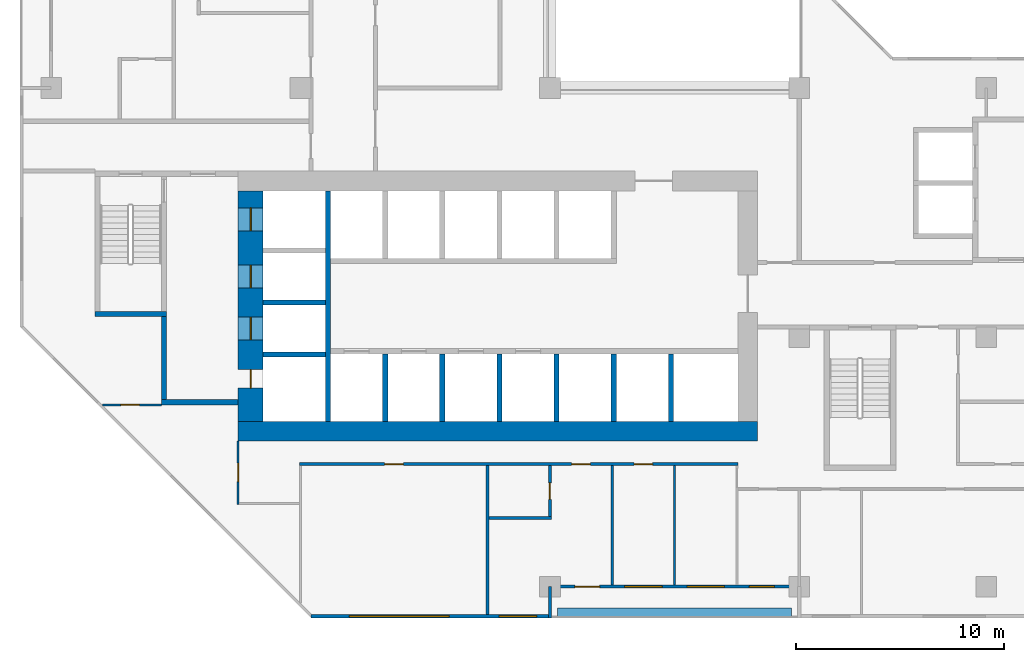
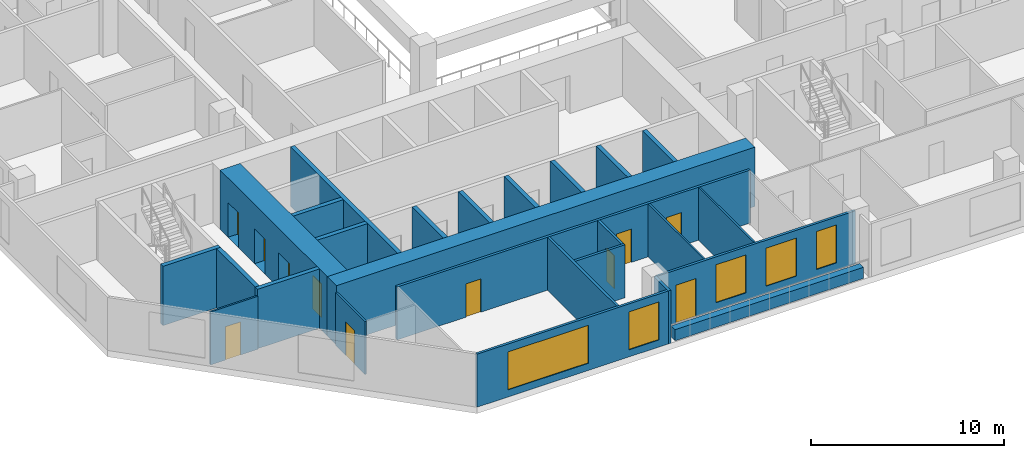
# One storey, part 4 of 15: 26 walls, 11 doors, 5 windows, 16 openings.
"""IFC4 building model written with IfcOpenShell, lengths in metres."""

from ifc_helpers import new_model, si_unit, direction, frame, frame_2d, origin, place, context, subcontext, project, spatial, rectangle, extrude, material, layer, layer_set, type_object, element, fill, save


model = new_model("IFC4")

# Units and contexts
model_context = context("Model", 3, precision=1e-05, world=origin(), true_north=direction((0.0, 1.0)))
body_context = subcontext(model_context, "Body", "Model", "MODEL_VIEW")
ifc_project = project(units=[si_unit("LENGTHUNIT", "METRE"), si_unit("AREAUNIT", "SQUARE_METRE"), si_unit("VOLUMEUNIT", "CUBIC_METRE"), si_unit("PLANEANGLEUNIT", "RADIAN"), si_unit("MASSUNIT", "GRAM", prefix="KILO")], contexts=[model_context])

# Site, building, storey
site_placement = place(None, origin())
site = spatial("IfcSite", under=ifc_project, at=site_placement, CompositionType="ELEMENT")
building_placement = place(site_placement, origin())
building = spatial("IfcBuilding", under=site, at=building_placement, Name="Chenar Terraces", CompositionType="ELEMENT")
storey_placement = place(building_placement, frame((0.0, 0.0, 125.64990234375)))
storey = spatial("IfcBuildingStorey", under=building, at=storey_placement, Name="L29", CompositionType="ELEMENT", Elevation=125.64990234375)

# Wall, openings, doors
ifc_material_1 = material(Name="Concrete C70/85", Category="concrete")
ifc_layer_1 = layer(ifc_material_1, 1.199951171875)
ifc_layer_set_1 = layer_set([ifc_layer_1], Name="Concrete C70/85")
wall_type_1 = type_object("IfcWallType", Name="Core wall 1200 Concrete C70/85", PredefinedType="SHEAR", material=ifc_layer_set_1)
wall_1_placement = place(storey_placement, frame((9.60009765625, 7.949951171875, 0.0), z_axis=(0.0, 0.0, 1.0), x_axis=(0.0, 1.0, 0.0)))
wall_1 = element("IfcWall", 1, at=wall_1_placement, inside=storey, type_object=wall_type_1, Name="Core wall W L29", PredefinedType="SHEAR", context=body_context, shape_type="SweptSolid", body=[
    extrude(rectangle(XDim=11.10009765625, YDim=1.199951171875, at=frame_2d((5.550048828125, 0.0))), origin(), (0.0, 0.0, 1.0), 3.75),
])
opening_1_placement = place(wall_1_placement, frame((3.925048828125, 0.0, 0.0)))
opening_1 = element("IfcOpeningElement", 2, at=opening_1_placement, cuts=wall_1, Name="Opening DL29-LD5", PredefinedType="OPENING", context=body_context, shape_type="SweptSolid", body=[
    extrude(rectangle(XDim=1.10009765625, YDim=2.199951171875, at=frame_2d((0.550048828125, 1.10009765625))), frame((0.0, 0.60986328125, 0.0), z_axis=(0.0, -1.0, 0.0), x_axis=(1.0, 0.0, 0.0)), (0.0, 0.0, 1.0), 1.219970703125),
])
opening_2_placement = place(wall_1_placement, frame((6.425048828125, 0.0, 0.0)))
opening_2 = element("IfcOpeningElement", 3, at=opening_2_placement, cuts=wall_1, Name="Opening DL29-LD6", PredefinedType="OPENING", context=body_context, shape_type="SweptSolid", body=[
    extrude(rectangle(XDim=1.10009765625, YDim=2.199951171875, at=frame_2d((0.550048828125, 1.10009765625))), frame((0.0, 0.60986328125, 0.0), z_axis=(0.0, -1.0, 0.0), x_axis=(1.0, 0.0, 0.0)), (0.0, 0.0, 1.0), 1.219970703125),
])
opening_3_placement = place(wall_1_placement, frame((9.175048828125, 0.0, 0.0)))
opening_3 = element("IfcOpeningElement", 4, at=opening_3_placement, cuts=wall_1, Name="Opening DL29-LD7", PredefinedType="OPENING", context=body_context, shape_type="SweptSolid", body=[
    extrude(rectangle(XDim=1.10009765625, YDim=2.199951171875, at=frame_2d((0.550048828125, 1.10009765625))), frame((0.0, 0.60986328125, 0.0), z_axis=(0.0, -1.0, 0.0), x_axis=(1.0, 0.0, 0.0)), (0.0, 0.0, 1.0), 1.219970703125),
])
opening_4_placement = place(wall_1_placement, frame((1.60009765625, 0.0, 0.0)))
opening_4 = element("IfcOpeningElement", 5, at=opening_4_placement, cuts=wall_1, Name="Opening DL29-C4", PredefinedType="OPENING", context=body_context, shape_type="SweptSolid", body=[
    extrude(rectangle(XDim=0.89990234375, YDim=2.10009765625, at=frame_2d((0.449951171875, 1.050048828125))), frame((0.0, 0.60986328125, 0.0), z_axis=(0.0, -1.0, 0.0), x_axis=(1.0, 0.0, 0.0)), (0.0, 0.0, 1.0), 1.219970703125),
])
ifc_material_2 = material(Name="Stainless steel", Category="steel")
door_type_1 = type_object("IfcDoorType", Name="Lift landing door 1100 x 2200 sliding", OperationType="DOUBLE_DOOR_SLIDING", PredefinedType="DOOR", material=ifc_material_2)
door_1_placement = place(opening_1_placement, origin())
door_1 = element("IfcDoor", 6, at=door_1_placement, inside=storey, type_object=door_type_1, Name="Landing door S1", OperationType="DOUBLE_DOOR_SLIDING", OverallHeight=2.199951171875, OverallWidth=1.10009765625, PredefinedType="DOOR", context=body_context, shape_type="SweptSolid", body=[
    extrude(rectangle(XDim=1.10009765625, YDim=2.199951171875, at=frame_2d((0.550048828125, 1.10009765625))), frame((0.0, 0.02490234375, 0.0), z_axis=(0.0, -1.0, 0.0), x_axis=(1.0, 0.0, 0.0)), (0.0, 0.0, 1.0), 0.050048828125),
])
fill(opening_1, door_1)
door_2_placement = place(opening_2_placement, origin())
door_2 = element("IfcDoor", 7, at=door_2_placement, inside=storey, type_object=door_type_1, Name="Landing door F1", OperationType="DOUBLE_DOOR_SLIDING", OverallHeight=2.199951171875, OverallWidth=1.10009765625, PredefinedType="DOOR", context=body_context, shape_type="SweptSolid", body=[
    extrude(rectangle(XDim=1.10009765625, YDim=2.199951171875, at=frame_2d((0.550048828125, 1.10009765625))), frame((0.0, 0.02490234375, 0.0), z_axis=(0.0, -1.0, 0.0), x_axis=(1.0, 0.0, 0.0)), (0.0, 0.0, 1.0), 0.050048828125),
])
fill(opening_2, door_2)
door_3_placement = place(opening_3_placement, origin())
door_3 = element("IfcDoor", 8, at=door_3_placement, inside=storey, type_object=door_type_1, Name="Landing door F2", OperationType="DOUBLE_DOOR_SLIDING", OverallHeight=2.199951171875, OverallWidth=1.10009765625, PredefinedType="DOOR", context=body_context, shape_type="SweptSolid", body=[
    extrude(rectangle(XDim=1.10009765625, YDim=2.199951171875, at=frame_2d((0.550048828125, 1.10009765625))), frame((0.0, 0.02490234375, 0.0), z_axis=(0.0, -1.0, 0.0), x_axis=(1.0, 0.0, 0.0)), (0.0, 0.0, 1.0), 0.050048828125),
])
fill(opening_3, door_3)
ifc_material_3 = material(Name="Steel-framed fire-resisting door leaf", Category="steel")
door_type_2 = type_object("IfcDoorType", Name="Riser fire door FD60 900 x 2100", OperationType="SINGLE_SWING_LEFT", PredefinedType="DOOR", material=ifc_material_3)
door_4_placement = place(opening_4_placement, frame((0.89990234375, 0.0, 0.0), z_axis=(0.0, 0.0, 1.0), x_axis=(-1.0, 0.0, 0.0)))
door_4 = element("IfcDoor", 9, at=door_4_placement, inside=storey, type_object=door_type_2, Name="Riser door DL29-C4", OperationType="SINGLE_SWING_LEFT", OverallHeight=2.10009765625, OverallWidth=0.89990234375, PredefinedType="DOOR", context=body_context, shape_type="SweptSolid", body=[
    extrude(rectangle(XDim=0.89990234375, YDim=2.10009765625, at=frame_2d((0.449951171875, 1.050048828125))), frame((0.0, 0.02490234375, 0.0), z_axis=(0.0, -1.0, 0.0), x_axis=(1.0, 0.0, 0.0)), (0.0, 0.0, 1.0), 0.050048828125),
])
fill(opening_4, door_4)

# Walls
ifc_material_4 = material(Name="Concrete C70/85", Category="concrete")
ifc_layer_2 = layer(ifc_material_4, 0.25)
ifc_layer_set_2 = layer_set([ifc_layer_2], Name="Concrete C70/85")
wall_type_2 = type_object("IfcWallType", Name="Core wall 250 Concrete C70/85", PredefinedType="SHEAR", material=ifc_layer_set_2)
wall_2_placement = place(storey_placement, frame((13.324951171875, 7.949951171875, 0.0), z_axis=(0.0, 0.0, 1.0), x_axis=(0.0, 1.0, 0.0)))
element("IfcWall", 10, at=wall_2_placement, inside=storey, type_object=wall_type_2, Name="Core wall WI L29", PredefinedType="SHEAR", context=body_context, shape_type="SweptSolid", body=[
    extrude(rectangle(XDim=11.10009765625, YDim=0.25, at=frame_2d((5.550048828125, 0.0))), origin(), (0.0, 0.0, 1.0), 3.75),
])
for number, where, z_axis, x_axis, name in (
    (11, (10.199951171875, 11.175048828125, 0.0), (0.0, 0.0, 1.0), (1.0, 0.0, 0.0), "Core wall HW0 L29"),
    (12, (10.199951171875, 13.675048828125, 0.0), (0.0, 0.0, 1.0), (1.0, 0.0, 0.0), "Core wall HW1 L29"),
):
    element("IfcWall", number, at=place(storey_placement, frame(where, z_axis=z_axis, x_axis=x_axis)), inside=storey, type_object=wall_type_2, Name=name, PredefinedType="SHEAR", context=body_context, shape_type="SweptSolid", body=[
        extrude(rectangle(XDim=3.0, YDim=0.25, at=frame_2d((1.5, 0.0))), origin(), (0.0, 0.0, 1.0), 3.75),
    ])
for number, where, z_axis, x_axis, name in (
    (13, (16.074951171875, 7.949951171875, 0.0), (0.0, 0.0, 1.0), (0.0, 1.0, 0.0), "Core wall SS0 L29"),
    (14, (18.824951171875, 7.949951171875, 0.0), (0.0, 0.0, 1.0), (0.0, 1.0, 0.0), "Core wall SS1 L29"),
    (15, (21.574951171875, 7.949951171875, 0.0), (0.0, 0.0, 1.0), (0.0, 1.0, 0.0), "Core wall SS2 L29"),
    (16, (24.324951171875, 7.949951171875, 0.0), (0.0, 0.0, 1.0), (0.0, 1.0, 0.0), "Core wall SS3 L29"),
    (17, (27.074951171875, 7.949951171875, 0.0), (0.0, 0.0, 1.0), (0.0, 1.0, 0.0), "Core wall SS4 L29"),
    (18, (29.824951171875, 7.949951171875, 0.0), (0.0, 0.0, 1.0), (0.0, 1.0, 0.0), "Core wall SS5 L29"),
):
    element("IfcWall", number, at=place(storey_placement, frame(where, z_axis=z_axis, x_axis=x_axis)), inside=storey, type_object=wall_type_2, Name=name, PredefinedType="SHEAR", context=body_context, shape_type="SweptSolid", body=[
        extrude(rectangle(XDim=3.25, YDim=0.25, at=frame_2d((1.625, 0.0))), origin(), (0.0, 0.0, 1.0), 3.75),
    ])
wall_3_placement = place(storey_placement, frame((2.10009765625, 13.125, 0.0), z_axis=(0.0, 0.0, 1.0), x_axis=(1.0, 0.0, 0.0)))
element("IfcWall", 19, at=wall_3_placement, inside=storey, type_object=wall_type_2, Name="Core wall ST1_S L29", PredefinedType="SHEAR", context=body_context, shape_type="SweptSolid", body=[
    extrude(rectangle(XDim=3.449951171875, YDim=0.25, at=frame_2d((1.72509765625, 0.0))), origin(), (0.0, 0.0, 1.0), 3.75),
])
wall_4_placement = place(storey_placement, frame((5.300048828125, 8.875, 0.0), z_axis=(0.0, 0.0, 1.0), x_axis=(1.0, 0.0, 0.0)))
element("IfcWall", 20, at=wall_4_placement, inside=storey, type_object=wall_type_2, Name="Core wall FFL_S L29", PredefinedType="SHEAR", context=body_context, shape_type="SweptSolid", body=[
    extrude(rectangle(XDim=3.699951171875, YDim=0.25, at=frame_2d((1.85009765625, 0.0))), origin(), (0.0, 0.0, 1.0), 3.75),
])
wall_5_placement = place(storey_placement, frame((5.425048828125, 9.0, 0.0), z_axis=(0.0, 0.0, 1.0), x_axis=(0.0, 1.0, 0.0)))
element("IfcWall", 21, at=wall_5_placement, inside=storey, type_object=wall_type_2, Name="Core wall FFL_W L29", PredefinedType="SHEAR", context=body_context, shape_type="SweptSolid", body=[
    extrude(rectangle(XDim=4.0, YDim=0.25, at=frame_2d((2.0, 0.0))), origin(), (0.0, 0.0, 1.0), 3.75),
])
ifc_material_5 = material(Name="Concrete C70/85", Category="concrete")
ifc_layer_3 = layer(ifc_material_5, 0.949951171875)
ifc_layer_set_3 = layer_set([ifc_layer_3], Name="Concrete C70/85")
wall_type_3 = type_object("IfcWallType", Name="Core wall 950 Concrete C70/85", PredefinedType="SHEAR", material=ifc_layer_set_3)
wall_6_placement = place(storey_placement, frame((9.0, 7.47509765625, 0.0), z_axis=(0.0, 0.0, 1.0), x_axis=(1.0, 0.0, 0.0)))
element("IfcWall", 22, at=wall_6_placement, inside=storey, type_object=wall_type_3, Name="Core wall S L29", PredefinedType="SHEAR", context=body_context, shape_type="SweptSolid", body=[
    extrude(rectangle(XDim=25.0, YDim=0.949951171875, at=frame_2d((12.5, 0.0))), origin(), (0.0, 0.0, 1.0), 3.75),
])

# Wall, openings, windows
ifc_material_6 = material(Name="Aluminium framed glazing", Category="aluminium")
ifc_layer_4 = layer(ifc_material_6, 0.14990234375)
ifc_layer_set_4 = layer_set([ifc_layer_4], Name="Aluminium framed glazing")
wall_type_4 = type_object("IfcWallType", Name="Glazed flush facade wall 150", PredefinedType="SOLIDWALL", material=ifc_layer_set_4)
wall_7_placement = place(storey_placement, frame((12.5, -1.425048828125, 0.0), z_axis=(0.0, 0.0, 1.0), x_axis=(1.0, 0.0, 0.0)))
wall_7 = element("IfcWall", 23, at=wall_7_placement, inside=storey, type_object=wall_type_4, Name="Glazed flush facade wall", PredefinedType="SOLIDWALL", context=body_context, shape_type="SweptSolid", body=[
    extrude(rectangle(XDim=11.425048828125, YDim=0.14990234375, at=frame_2d((5.71240234375, 0.0))), origin(), (0.0, 0.0, 1.0), 3.35009765625),
])
opening_5_placement = place(wall_7_placement, frame((1.85009765625, 0.0, 0.449951171875)))
opening_5 = element("IfcOpeningElement", 24, at=opening_5_placement, cuts=wall_7, Name="Opening W480x240", PredefinedType="OPENING", context=body_context, shape_type="SweptSolid", body=[
    extrude(rectangle(XDim=4.800048828125, YDim=2.39990234375, at=frame_2d((2.39990234375, 1.199951171875))), frame((0.0, 0.0849609375, 0.0), z_axis=(0.0, -1.0, 0.0), x_axis=(1.0, 0.0, 0.0)), (0.0, 0.0, 1.0), 0.169921875),
])
opening_6_placement = place(wall_7_placement, frame((9.0625, 0.0, 0.449951171875)))
opening_6 = element("IfcOpeningElement", 25, at=opening_6_placement, cuts=wall_7, Name="Opening W180x240", PredefinedType="OPENING", context=body_context, shape_type="SweptSolid", body=[
    extrude(rectangle(XDim=1.800048828125, YDim=2.39990234375, at=frame_2d((0.89990234375, 1.199951171875))), frame((0.0, 0.0849609375, 0.0), z_axis=(0.0, -1.0, 0.0), x_axis=(1.0, 0.0, 0.0)), (0.0, 0.0, 1.0), 0.169921875),
])
ifc_material_7 = material(Name="Low emissivity double glazing, aluminium frame", Category="aluminium")
window_type_1 = type_object("IfcWindowType", Name="Fixed light 1800 x 2400", PartitioningType="SINGLE_PANEL", PredefinedType="WINDOW", material=ifc_material_7)
window_1_placement = place(opening_6_placement, origin())
window_1 = element("IfcWindow", 26, at=window_1_placement, inside=storey, type_object=window_type_1, Name="Window", OverallHeight=2.39990234375, OverallWidth=1.800048828125, PartitioningType="SINGLE_PANEL", PredefinedType="WINDOW", context=body_context, shape_type="SweptSolid", body=[
    extrude(rectangle(XDim=1.800048828125, YDim=2.39990234375, at=frame_2d((0.89990234375, 1.199951171875))), frame((0.0, 0.030029296875, 0.0), z_axis=(0.0, -1.0, 0.0), x_axis=(1.0, 0.0, 0.0)), (0.0, 0.0, 1.0), 0.06005859375),
])
fill(opening_6, window_1)
ifc_material_8 = material(Name="Low emissivity double glazing, aluminium frame", Category="aluminium")
window_type_2 = type_object("IfcWindowType", Name="Fixed light 4800 x 2400", PartitioningType="SINGLE_PANEL", PredefinedType="WINDOW", material=ifc_material_8)
window_2_placement = place(opening_5_placement, origin())
window_2 = element("IfcWindow", 27, at=window_2_placement, inside=storey, type_object=window_type_2, Name="Window", OverallHeight=2.39990234375, OverallWidth=4.800048828125, PartitioningType="SINGLE_PANEL", PredefinedType="WINDOW", context=body_context, shape_type="SweptSolid", body=[
    extrude(rectangle(XDim=4.800048828125, YDim=2.39990234375, at=frame_2d((2.39990234375, 1.199951171875))), frame((0.0, 0.030029296875, 0.0), z_axis=(0.0, -1.0, 0.0), x_axis=(1.0, 0.0, 0.0)), (0.0, 0.0, 1.0), 0.06005859375),
])
fill(opening_5, window_2)

# Wall, openings, windows, door
ifc_material_9 = material(Name="Aluminium framed glazing", Category="aluminium")
ifc_layer_5 = layer(ifc_material_9, 0.14990234375)
ifc_layer_set_5 = layer_set([ifc_layer_5], Name="Aluminium framed glazing")
wall_type_5 = type_object("IfcWallType", Name="Glazed loggia back wall 150", PredefinedType="SOLIDWALL", material=ifc_layer_set_5)
wall_8_placement = place(storey_placement, frame((24.074951171875, 0.0, 0.0), z_axis=(0.0, 0.0, 1.0), x_axis=(1.0, 0.0, 0.0)))
wall_8 = element("IfcWall", 28, at=wall_8_placement, inside=storey, type_object=wall_type_5, Name="Glazed loggia back wall", PredefinedType="SOLIDWALL", context=body_context, shape_type="SweptSolid", body=[
    extrude(rectangle(XDim=11.85009765625, YDim=0.14990234375, at=frame_2d((5.925048828125, 0.0))), origin(), (0.0, 0.0, 1.0), 3.35009765625),
])
opening_7_placement = place(wall_8_placement, frame((1.125, 0.0, 0.0)))
opening_7 = element("IfcOpeningElement", 29, at=opening_7_placement, cuts=wall_8, Name="Opening DL29-G6", PredefinedType="OPENING", context=body_context, shape_type="SweptSolid", body=[
    extrude(rectangle(XDim=1.199951171875, YDim=2.39990234375, at=frame_2d((0.60009765625, 1.199951171875))), frame((0.0, 0.0849609375, 0.0), z_axis=(0.0, -1.0, 0.0), x_axis=(1.0, 0.0, 0.0)), (0.0, 0.0, 1.0), 0.169921875),
])
opening_8_placement = place(wall_8_placement, frame((3.52490234375, 0.0, 0.449951171875)))
opening_8 = element("IfcOpeningElement", 30, at=opening_8_placement, cuts=wall_8, Name="Opening W180x240", PredefinedType="OPENING", context=body_context, shape_type="SweptSolid", body=[
    extrude(rectangle(XDim=1.800048828125, YDim=2.39990234375, at=frame_2d((0.89990234375, 1.199951171875))), frame((0.0, 0.0849609375, 0.0), z_axis=(0.0, -1.0, 0.0), x_axis=(1.0, 0.0, 0.0)), (0.0, 0.0, 1.0), 0.169921875),
])
opening_9_placement = place(wall_8_placement, frame((6.52490234375, 0.0, 0.449951171875)))
opening_9 = element("IfcOpeningElement", 31, at=opening_9_placement, cuts=wall_8, Name="Opening W180x240", PredefinedType="OPENING", context=body_context, shape_type="SweptSolid", body=[
    extrude(rectangle(XDim=1.800048828125, YDim=2.39990234375, at=frame_2d((0.89990234375, 1.199951171875))), frame((0.0, 0.0849609375, 0.0), z_axis=(0.0, -1.0, 0.0), x_axis=(1.0, 0.0, 0.0)), (0.0, 0.0, 1.0), 0.169921875),
])
opening_10_placement = place(wall_8_placement, frame((9.52490234375, 0.0, 0.449951171875)))
opening_10 = element("IfcOpeningElement", 32, at=opening_10_placement, cuts=wall_8, Name="Opening W120x240", PredefinedType="OPENING", context=body_context, shape_type="SweptSolid", body=[
    extrude(rectangle(XDim=1.199951171875, YDim=2.39990234375, at=frame_2d((0.60009765625, 1.199951171875))), frame((0.0, 0.0849609375, 0.0), z_axis=(0.0, -1.0, 0.0), x_axis=(1.0, 0.0, 0.0)), (0.0, 0.0, 1.0), 0.169921875),
])
ifc_material_10 = material(Name="Low emissivity double glazing, aluminium frame", Category="aluminium")
window_type_3 = type_object("IfcWindowType", Name="Fixed light 1200 x 2400", PartitioningType="SINGLE_PANEL", PredefinedType="WINDOW", material=ifc_material_10)
window_3_placement = place(opening_10_placement, origin())
window_3 = element("IfcWindow", 33, at=window_3_placement, inside=storey, type_object=window_type_3, Name="Window", OverallHeight=2.39990234375, OverallWidth=1.199951171875, PartitioningType="SINGLE_PANEL", PredefinedType="WINDOW", context=body_context, shape_type="SweptSolid", body=[
    extrude(rectangle(XDim=1.199951171875, YDim=2.39990234375, at=frame_2d((0.60009765625, 1.199951171875))), frame((0.0, 0.030029296875, 0.0), z_axis=(0.0, -1.0, 0.0), x_axis=(1.0, 0.0, 0.0)), (0.0, 0.0, 1.0), 0.06005859375),
])
fill(opening_10, window_3)
window_4_placement = place(opening_8_placement, origin())
window_4 = element("IfcWindow", 34, at=window_4_placement, inside=storey, type_object=window_type_1, Name="Window", OverallHeight=2.39990234375, OverallWidth=1.800048828125, PartitioningType="SINGLE_PANEL", PredefinedType="WINDOW", context=body_context, shape_type="SweptSolid", body=[
    extrude(rectangle(XDim=1.800048828125, YDim=2.39990234375, at=frame_2d((0.89990234375, 1.199951171875))), frame((0.0, 0.030029296875, 0.0), z_axis=(0.0, -1.0, 0.0), x_axis=(1.0, 0.0, 0.0)), (0.0, 0.0, 1.0), 0.06005859375),
])
fill(opening_8, window_4)
window_5_placement = place(opening_9_placement, origin())
window_5 = element("IfcWindow", 35, at=window_5_placement, inside=storey, type_object=window_type_1, Name="Window", OverallHeight=2.39990234375, OverallWidth=1.800048828125, PartitioningType="SINGLE_PANEL", PredefinedType="WINDOW", context=body_context, shape_type="SweptSolid", body=[
    extrude(rectangle(XDim=1.800048828125, YDim=2.39990234375, at=frame_2d((0.89990234375, 1.199951171875))), frame((0.0, 0.030029296875, 0.0), z_axis=(0.0, -1.0, 0.0), x_axis=(1.0, 0.0, 0.0)), (0.0, 0.0, 1.0), 0.06005859375),
])
fill(opening_9, window_5)
ifc_material_11 = material(Name="Low emissivity double glazing, aluminium frame", Category="aluminium")
door_type_3 = type_object("IfcDoorType", Name="Loggia glazed double door 1200 x 2400", OperationType="DOUBLE_DOOR_SINGLE_SWING", PredefinedType="DOOR", material=ifc_material_11)
door_5_placement = place(opening_7_placement, frame((1.199951171875, 0.0, 0.0), z_axis=(0.0, 0.0, 1.0), x_axis=(-1.0, 0.0, 0.0)))
door_5 = element("IfcDoor", 36, at=door_5_placement, inside=storey, type_object=door_type_3, Name="Loggia glazed door", OperationType="DOUBLE_DOOR_SINGLE_SWING", OverallHeight=2.39990234375, OverallWidth=1.199951171875, PredefinedType="DOOR", context=body_context, shape_type="SweptSolid", body=[
    extrude(rectangle(XDim=1.199951171875, YDim=2.39990234375, at=frame_2d((0.60009765625, 1.199951171875))), frame((0.0, 0.02490234375, 0.0), z_axis=(0.0, -1.0, 0.0), x_axis=(1.0, 0.0, 0.0)), (0.0, 0.0, 1.0), 0.050048828125),
])
fill(opening_7, door_5)

# Wall, opening, door
ifc_material_12 = material(Name="Gypsum board on steel studs", Category="steel")
ifc_layer_6 = layer(ifc_material_12, 0.10009765625)
ifc_layer_set_6 = layer_set([ifc_layer_6], Name="Gypsum board on steel studs")
wall_type_6 = type_object("IfcWallType", Name="Gypsum partition 100", PredefinedType="PARTITIONING", material=ifc_layer_set_6)
wall_9_placement = place(storey_placement, frame((2.4609375, 8.75, 0.0), z_axis=(0.0, 0.0, 1.0), x_axis=(1.0, 0.0, 0.0)))
wall_9 = element("IfcWall", 37, at=wall_9_placement, inside=storey, type_object=wall_type_6, Name="Partition L29-011", PredefinedType="PARTITIONING", context=body_context, shape_type="SweptSolid", body=[
    extrude(rectangle(XDim=2.839111328125, YDim=0.10009765625, at=frame_2d((1.41943359375, 0.0))), origin(), (0.0, 0.0, 1.0), 3.35009765625),
])
opening_11_placement = place(wall_9_placement, frame((0.888916015625, 0.0, 0.0)))
opening_11 = element("IfcOpeningElement", 38, at=opening_11_placement, cuts=wall_9, Name="Opening DL29-62", PredefinedType="OPENING", context=body_context, shape_type="SweptSolid", body=[
    extrude(rectangle(XDim=0.89990234375, YDim=2.10009765625, at=frame_2d((0.449951171875, 1.050048828125))), frame((0.0, 0.06005859375, 0.0), z_axis=(0.0, -1.0, 0.0), x_axis=(1.0, 0.0, 0.0)), (0.0, 0.0, 1.0), 0.1201171875),
])
ifc_material_13 = material(Name="Veneered timber door leaf", Category="wood")
door_type_4 = type_object("IfcDoorType", Name="Door 900 x 2100", OperationType="SINGLE_SWING_LEFT", PredefinedType="DOOR", material=ifc_material_13)
door_6_placement = place(opening_11_placement, frame((0.89990234375, 0.0, 0.0), z_axis=(0.0, 0.0, 1.0), x_axis=(-1.0, 0.0, 0.0)))
door_6 = element("IfcDoor", 39, at=door_6_placement, inside=storey, type_object=door_type_4, Name="Door DL29-62", OperationType="SINGLE_SWING_RIGHT", OverallHeight=2.10009765625, OverallWidth=0.89990234375, PredefinedType="DOOR", context=body_context, shape_type="SweptSolid", body=[
    extrude(rectangle(XDim=0.89990234375, YDim=2.10009765625, at=frame_2d((0.449951171875, 1.050048828125))), frame((0.0, 0.02490234375, 0.0), z_axis=(0.0, -1.0, 0.0), x_axis=(1.0, 0.0, 0.0)), (0.0, 0.0, 1.0), 0.050048828125),
])
fill(opening_11, door_6)

wall_10_placement = place(storey_placement, frame((9.0, 3.949951171875, 0.0), z_axis=(0.0, 0.0, 1.0), x_axis=(0.0, 1.0, 0.0)))
wall_10 = element("IfcWall", 40, at=wall_10_placement, inside=storey, type_object=wall_type_6, Name="Partition L29-032", PredefinedType="PARTITIONING", context=body_context, shape_type="SweptSolid", body=[
    extrude(rectangle(XDim=3.050048828125, YDim=0.10009765625, at=frame_2d((1.52490234375, 0.0))), origin(), (0.0, 0.0, 1.0), 3.35009765625),
])
opening_12_placement = place(wall_10_placement, frame((1.10009765625, 0.0, 0.0)))
opening_12 = element("IfcOpeningElement", 41, at=opening_12_placement, cuts=wall_10, Name="Opening DL29-61", PredefinedType="OPENING", context=body_context, shape_type="SweptSolid", body=[
    extrude(rectangle(XDim=0.89990234375, YDim=2.10009765625, at=frame_2d((0.449951171875, 1.050048828125))), frame((0.0, 0.06005859375, 0.0), z_axis=(0.0, -1.0, 0.0), x_axis=(1.0, 0.0, 0.0)), (0.0, 0.0, 1.0), 0.1201171875),
])
door_7_placement = place(opening_12_placement, origin())
door_7 = element("IfcDoor", 42, at=door_7_placement, inside=storey, type_object=door_type_4, Name="Door DL29-61", OperationType="SINGLE_SWING_LEFT", OverallHeight=2.10009765625, OverallWidth=0.89990234375, PredefinedType="DOOR", context=body_context, shape_type="SweptSolid", body=[
    extrude(rectangle(XDim=0.89990234375, YDim=2.10009765625, at=frame_2d((0.449951171875, 1.050048828125))), frame((0.0, 0.02490234375, 0.0), z_axis=(0.0, -1.0, 0.0), x_axis=(1.0, 0.0, 0.0)), (0.0, 0.0, 1.0), 0.050048828125),
])
fill(opening_12, door_7)

# Walls
for number, where, z_axis, x_axis, name in (
    (43, (27.0, 0.073974609375, 0.0), (0.0, 0.0, 1.0), (0.0, 1.0, 0.0), "Partition L29-059"),
    (44, (30.0, 0.073974609375, 0.0), (0.0, 0.0, 1.0), (0.0, 1.0, 0.0), "Partition L29-060"),
):
    element("IfcWall", number, at=place(storey_placement, frame(where, z_axis=z_axis, x_axis=x_axis)), inside=storey, type_object=wall_type_6, Name=name, PredefinedType="PARTITIONING", context=body_context, shape_type="SweptSolid", body=[
        extrude(rectangle(XDim=5.7509765625, YDim=0.10009765625, at=frame_2d((2.87548828125, 0.0))), origin(), (0.0, 0.0, 1.0), 3.35009765625),
    ])
ifc_material_14 = material(Name="Terracotta cladding on insulated backing", Category="masonry")
ifc_layer_7 = layer(ifc_material_14, 0.14990234375)
ifc_layer_set_7 = layer_set([ifc_layer_7], Name="Terracotta cladding on insulated backing")
wall_type_7 = type_object("IfcWallType", Name="Loggia return wall 150", PredefinedType="SOLIDWALL", material=ifc_layer_set_7)
wall_11_placement = place(storey_placement, frame((24.0, -1.5, 0.0), z_axis=(0.0, 0.0, 1.0), x_axis=(0.0, 1.0, 0.0)))
element("IfcWall", 45, at=wall_11_placement, inside=storey, type_object=wall_type_7, Name="Loggia return wall", PredefinedType="SOLIDWALL", context=body_context, shape_type="SweptSolid", body=[
    extrude(rectangle(XDim=1.5, YDim=0.14990234375, at=frame_2d((0.75, 0.0))), origin(), (0.0, 0.0, 1.0), 3.35009765625),
])
ifc_material_15 = material(Name="GRP planter trough")
ifc_layer_8 = layer(ifc_material_15, 0.39990234375)
ifc_layer_set_8 = layer_set([ifc_layer_8], Name="GRP planter trough")
wall_type_8 = type_object("IfcWallType", Name="Vertical greenery planter 400", PredefinedType="SOLIDWALL", material=ifc_layer_set_8)
wall_12_placement = place(storey_placement, frame((24.375, -1.22900390625, 0.0), z_axis=(0.0, 0.0, 1.0), x_axis=(1.0, 0.0, 0.0)))
element("IfcWall", 46, at=wall_12_placement, inside=storey, type_object=wall_type_8, Name="Vertical greenery planter", PredefinedType="SOLIDWALL", context=body_context, shape_type="SweptSolid", body=[
    extrude(rectangle(XDim=11.25, YDim=0.39990234375, at=frame_2d((5.625, 0.0))), origin(), (0.0, 0.0, 1.0), 0.7001953125),
])

# Wall, openings, doors
ifc_material_16 = material(Name="Moisture-resistant gypsum board on steel studs", Category="steel")
ifc_layer_9 = layer(ifc_material_16, 0.14990234375)
ifc_layer_set_9 = layer_set([ifc_layer_9], Name="Moisture-resistant gypsum board on steel studs")
wall_type_9 = type_object("IfcWallType", Name="Wet-room partition 150", PredefinedType="PARTITIONING", material=ifc_layer_set_9)
wall_13_placement = place(storey_placement, frame((11.949951171875, 5.89990234375, 0.0), z_axis=(0.0, 0.0, 1.0), x_axis=(1.0, 0.0, 0.0)))
wall_13 = element("IfcWall", 47, at=wall_13_placement, inside=storey, type_object=wall_type_9, Name="Partition L29-034", PredefinedType="PARTITIONING", context=body_context, shape_type="SweptSolid", body=[
    extrude(rectangle(XDim=21.10009765625, YDim=0.14990234375, at=frame_2d((10.550048828125, 0.0))), origin(), (0.0, 0.0, 1.0), 3.35009765625),
])
opening_13_placement = place(wall_13_placement, frame((16.10009765625, 0.0, 0.0)))
opening_13 = element("IfcOpeningElement", 48, at=opening_13_placement, cuts=wall_13, Name="Opening DL29-55", PredefinedType="OPENING", context=body_context, shape_type="SweptSolid", body=[
    extrude(rectangle(XDim=0.89990234375, YDim=2.10009765625, at=frame_2d((0.449951171875, 1.050048828125))), frame((0.0, 0.0849609375, 0.0), z_axis=(0.0, -1.0, 0.0), x_axis=(1.0, 0.0, 0.0)), (0.0, 0.0, 1.0), 0.169921875),
])
opening_14_placement = place(wall_13_placement, frame((13.10009765625, 0.0, 0.0)))
opening_14 = element("IfcOpeningElement", 49, at=opening_14_placement, cuts=wall_13, Name="Opening DL29-63", PredefinedType="OPENING", context=body_context, shape_type="SweptSolid", body=[
    extrude(rectangle(XDim=0.89990234375, YDim=2.10009765625, at=frame_2d((0.449951171875, 1.050048828125))), frame((0.0, 0.0849609375, 0.0), z_axis=(0.0, -1.0, 0.0), x_axis=(1.0, 0.0, 0.0)), (0.0, 0.0, 1.0), 0.169921875),
])
opening_15_placement = place(wall_13_placement, frame((4.10009765625, 0.0, 0.0)))
opening_15 = element("IfcOpeningElement", 50, at=opening_15_placement, cuts=wall_13, Name="Opening DL29-68", PredefinedType="OPENING", context=body_context, shape_type="SweptSolid", body=[
    extrude(rectangle(XDim=0.89990234375, YDim=2.10009765625, at=frame_2d((0.449951171875, 1.050048828125))), frame((0.0, 0.0849609375, 0.0), z_axis=(0.0, -1.0, 0.0), x_axis=(1.0, 0.0, 0.0)), (0.0, 0.0, 1.0), 0.169921875),
])
door_8_placement = place(opening_13_placement, frame((0.89990234375, 0.0, 0.0), z_axis=(0.0, 0.0, 1.0), x_axis=(-1.0, 0.0, 0.0)))
door_8 = element("IfcDoor", 51, at=door_8_placement, inside=storey, type_object=door_type_4, Name="Door DL29-55", OperationType="SINGLE_SWING_RIGHT", OverallHeight=2.10009765625, OverallWidth=0.89990234375, PredefinedType="DOOR", context=body_context, shape_type="SweptSolid", body=[
    extrude(rectangle(XDim=0.89990234375, YDim=2.10009765625, at=frame_2d((0.449951171875, 1.050048828125))), frame((0.0, 0.02490234375, 0.0), z_axis=(0.0, -1.0, 0.0), x_axis=(1.0, 0.0, 0.0)), (0.0, 0.0, 1.0), 0.050048828125),
])
fill(opening_13, door_8)
door_9_placement = place(opening_14_placement, frame((0.89990234375, 0.0, 0.0), z_axis=(0.0, 0.0, 1.0), x_axis=(-1.0, 0.0, 0.0)))
door_9 = element("IfcDoor", 52, at=door_9_placement, inside=storey, type_object=door_type_4, Name="Door DL29-63", OperationType="SINGLE_SWING_RIGHT", OverallHeight=2.10009765625, OverallWidth=0.89990234375, PredefinedType="DOOR", context=body_context, shape_type="SweptSolid", body=[
    extrude(rectangle(XDim=0.89990234375, YDim=2.10009765625, at=frame_2d((0.449951171875, 1.050048828125))), frame((0.0, 0.02490234375, 0.0), z_axis=(0.0, -1.0, 0.0), x_axis=(1.0, 0.0, 0.0)), (0.0, 0.0, 1.0), 0.050048828125),
])
fill(opening_14, door_9)
door_10_placement = place(opening_15_placement, frame((0.89990234375, 0.0, 0.0), z_axis=(0.0, 0.0, 1.0), x_axis=(-1.0, 0.0, 0.0)))
door_10 = element("IfcDoor", 53, at=door_10_placement, inside=storey, type_object=door_type_4, Name="Door DL29-68", OperationType="SINGLE_SWING_RIGHT", OverallHeight=2.10009765625, OverallWidth=0.89990234375, PredefinedType="DOOR", context=body_context, shape_type="SweptSolid", body=[
    extrude(rectangle(XDim=0.89990234375, YDim=2.10009765625, at=frame_2d((0.449951171875, 1.050048828125))), frame((0.0, 0.02490234375, 0.0), z_axis=(0.0, -1.0, 0.0), x_axis=(1.0, 0.0, 0.0)), (0.0, 0.0, 1.0), 0.050048828125),
])
fill(opening_15, door_10)

# Walls
wall_14_placement = place(storey_placement, frame((21.0, -1.35009765625, 0.0), z_axis=(0.0, 0.0, 1.0), x_axis=(0.0, 1.0, 0.0)))
element("IfcWall", 54, at=wall_14_placement, inside=storey, type_object=wall_type_9, Name="Partition L29-055", PredefinedType="PARTITIONING", context=body_context, shape_type="SweptSolid", body=[
    extrude(rectangle(XDim=7.175048828125, YDim=0.14990234375, at=frame_2d((3.58740234375, 0.0))), origin(), (0.0, 0.0, 1.0), 3.35009765625),
])
wall_15_placement = place(storey_placement, frame((21.074951171875, 3.300048828125, 0.0), z_axis=(0.0, 0.0, 1.0), x_axis=(1.0, 0.0, 0.0)))
element("IfcWall", 55, at=wall_15_placement, inside=storey, type_object=wall_type_9, Name="Partition L29-056", PredefinedType="PARTITIONING", context=body_context, shape_type="SweptSolid", body=[
    extrude(rectangle(XDim=3.0, YDim=0.14990234375, at=frame_2d((1.5, 0.0))), origin(), (0.0, 0.0, 1.0), 3.35009765625),
])

# Wall, opening, door
wall_16_placement = place(storey_placement, frame((24.0, 3.375, 0.0), z_axis=(0.0, 0.0, 1.0), x_axis=(0.0, 1.0, 0.0)))
wall_16 = element("IfcWall", 56, at=wall_16_placement, inside=storey, type_object=wall_type_9, Name="Partition L29-058", PredefinedType="PARTITIONING", context=body_context, shape_type="SweptSolid", body=[
    extrude(rectangle(XDim=2.449951171875, YDim=0.14990234375, at=frame_2d((1.22509765625, 0.0))), origin(), (0.0, 0.0, 1.0), 3.35009765625),
])
opening_16_placement = place(wall_16_placement, frame((0.824951171875, 0.0, 0.0)))
opening_16 = element("IfcOpeningElement", 57, at=opening_16_placement, cuts=wall_16, Name="Opening DL29-64", PredefinedType="OPENING", context=body_context, shape_type="SweptSolid", body=[
    extrude(rectangle(XDim=0.800048828125, YDim=2.10009765625, at=frame_2d((0.39990234375, 1.050048828125))), frame((0.0, 0.0849609375, 0.0), z_axis=(0.0, -1.0, 0.0), x_axis=(1.0, 0.0, 0.0)), (0.0, 0.0, 1.0), 0.169921875),
])
ifc_material_17 = material(Name="Veneered timber door leaf", Category="wood")
door_type_5 = type_object("IfcDoorType", Name="Door 800 x 2100", OperationType="SINGLE_SWING_LEFT", PredefinedType="DOOR", material=ifc_material_17)
door_11_placement = place(opening_16_placement, origin())
door_11 = element("IfcDoor", 58, at=door_11_placement, inside=storey, type_object=door_type_5, Name="Door DL29-64", OperationType="SINGLE_SWING_RIGHT", OverallHeight=2.10009765625, OverallWidth=0.800048828125, PredefinedType="DOOR", context=body_context, shape_type="SweptSolid", body=[
    extrude(rectangle(XDim=0.800048828125, YDim=2.10009765625, at=frame_2d((0.39990234375, 1.050048828125))), frame((0.0, 0.02490234375, 0.0), z_axis=(0.0, -1.0, 0.0), x_axis=(1.0, 0.0, 0.0)), (0.0, 0.0, 1.0), 0.050048828125),
])
fill(opening_16, door_11)

save(model, "model.ifc")
